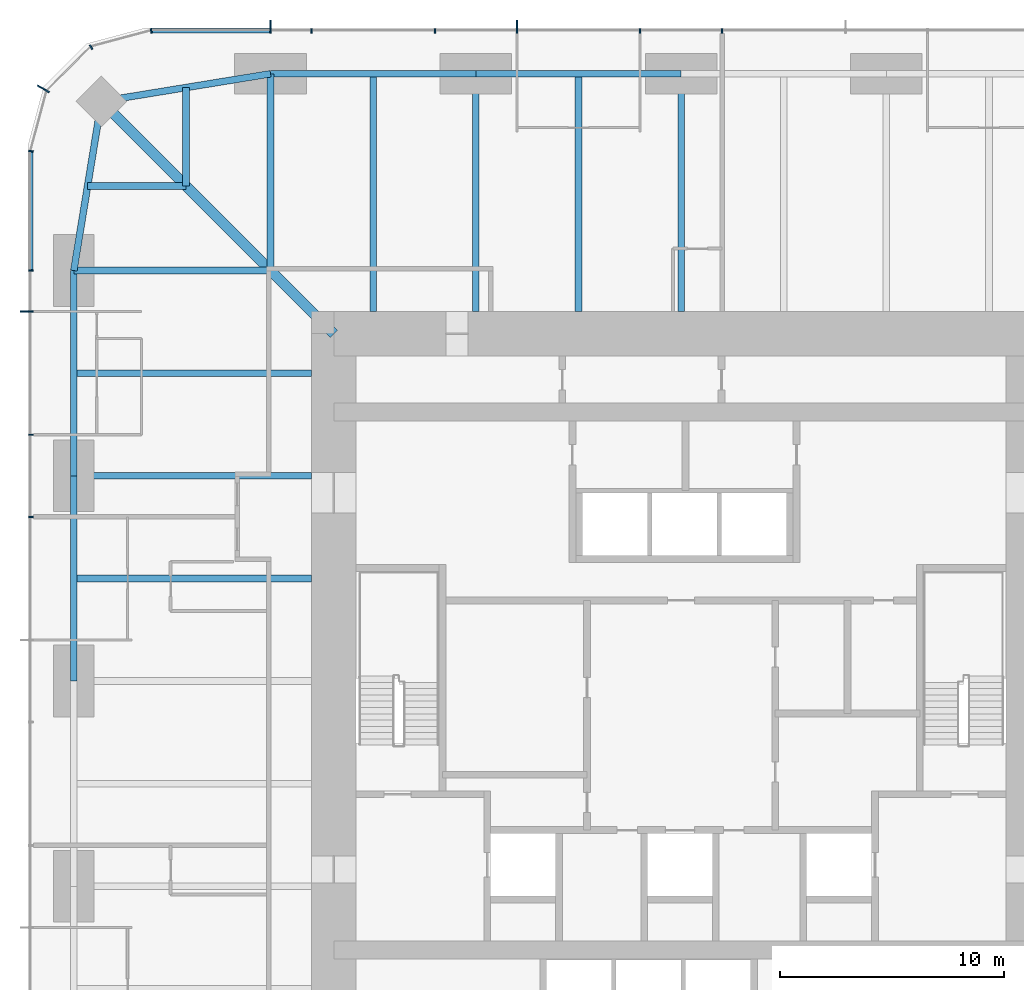
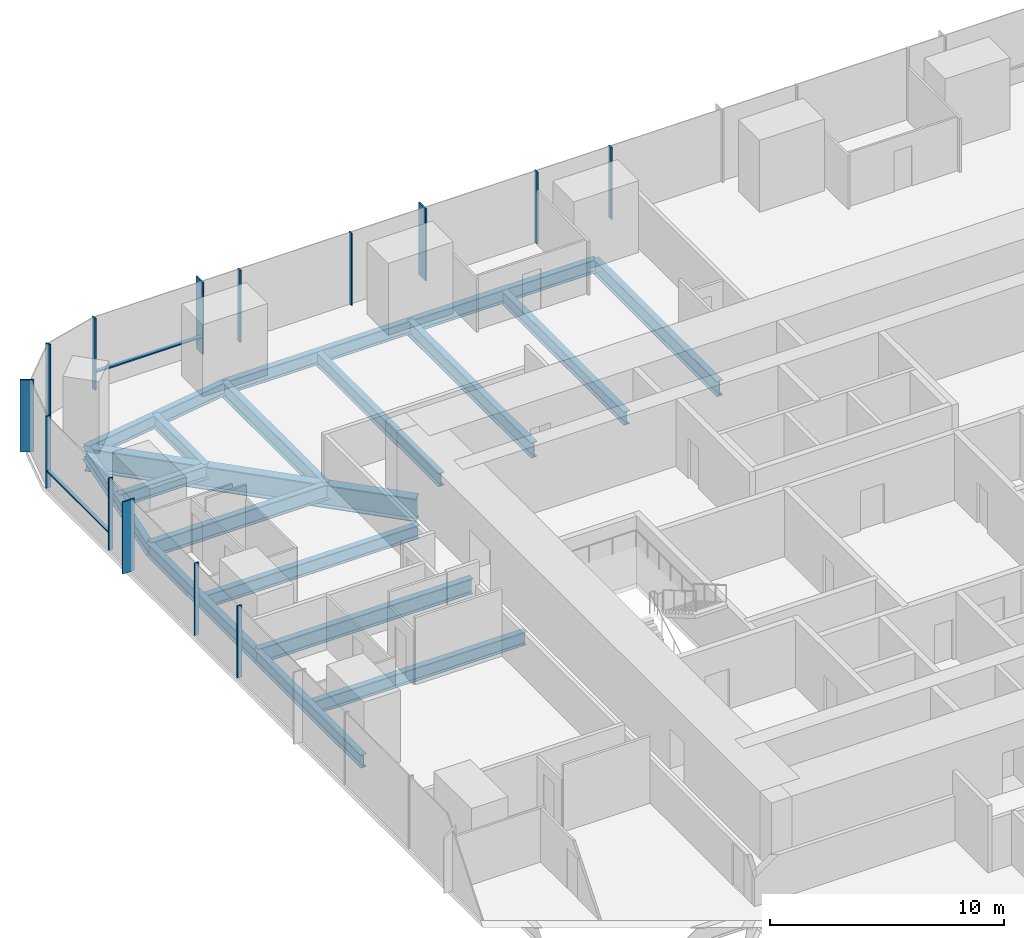
# One storey, part 5 of 13: 18 beams, 16 members, 3 elements without a shape of their own.
"""IFC4 building model written with IfcOpenShell, lengths in metres."""

import ifcopenshell
import ifcopenshell.guid

model = None  # the IFC model being written
_history = None  # IfcOwnerHistory: only IFC2X3 demands one
_inside = {}  # id of a spatial element -> (the spatial element, [elements in it])
_under = {}  # id of a project, library or spatial element -> (it, [spatial elements below it])
_declared = {}  # id of a project -> (the project, [libraries it declares])
_typed = {}  # id of a type object -> (the type object, [elements of that type])
_made_of = {}  # id of a material, layer set ... -> (it, [elements and type objects made of it])


def new_model(schema):
    """Start an empty IFC model of exactly this schema.

    Asked for "IFC4X3", IfcOpenShell would pick the latest addendum, in which some entities
    have other attributes; the version numbers below select the first issue.
    IFC2X3 requires an IfcOwnerHistory on every rooted entity: one is made here for all.
    """
    global model, _history
    if schema == "IFC4X3":
        model = ifcopenshell.file(schema_version=(4, 3, 0, 0))
    else:
        model = ifcopenshell.file(schema=schema)
    _inside.clear()
    _under.clear()
    _declared.clear()
    _typed.clear()
    _made_of.clear()
    _history = None
    if model.schema == "IFC2X3":
        org = make("IfcOrganization", Name="unknown")
        user = make(
            "IfcPersonAndOrganization",
            ThePerson=make("IfcPerson", FamilyName="unknown"),
            TheOrganization=org,
        )
        app = make(
            "IfcApplication",
            ApplicationDeveloper=org,
            Version="unknown",
            ApplicationFullName="unknown",
            ApplicationIdentifier="unknown",
        )
        _history = make(
            "IfcOwnerHistory",
            OwningUser=user,
            OwningApplication=app,
            ChangeAction="ADDED",
            CreationDate=0,
        )
    return model


def make(cls, **values):
    """One entity of the class cls with the attributes given. An attribute that is None is left unset."""
    return model.create_entity(
        cls, **{name: value for name, value in values.items() if value is not None}
    )


def rooted(cls, **values):
    """An entity with a GlobalId (a new one), such as an element, a storey or a relation."""
    return make(cls, GlobalId=ifcopenshell.guid.new(), OwnerHistory=_history, **values)


def si_unit(unit_type, name, prefix=None):
    """IfcSIUnit, for example si_unit("LENGTHUNIT", "METRE", prefix="MILLI")."""
    return make("IfcSIUnit", UnitType=unit_type, Prefix=prefix, Name=name)


def assignment(units):
    """IfcUnitAssignment: the units of a project."""
    return None if units is None else make("IfcUnitAssignment", Units=units)


def point(xyz):
    """IfcCartesianPoint."""
    return None if xyz is None else make("IfcCartesianPoint", Coordinates=xyz)


def direction(xyz):
    """IfcDirection."""
    return None if xyz is None else make("IfcDirection", DirectionRatios=xyz)


def frame(location, z_axis=None, x_axis=None):
    """IfcAxis2Placement3D, a coordinate frame: its origin and axes. An axis left out is left unset."""
    return make(
        "IfcAxis2Placement3D",
        Location=point(location),
        Axis=direction(z_axis),
        RefDirection=direction(x_axis),
    )


def frame_2d(location, x_axis=None):
    """IfcAxis2Placement2D, a coordinate frame in the plane: its origin and x axis."""
    return make(
        "IfcAxis2Placement2D", Location=point(location), RefDirection=direction(x_axis)
    )


def origin():
    """The frame at (0, 0, 0) with its axes left unset."""
    return frame((0.0, 0.0, 0.0))


def origin_2d():
    """The frame at (0, 0) in the plane with its x axis left unset."""
    return frame_2d((0.0, 0.0))


def place(relative_to, where):
    """IfcLocalPlacement: puts the frame where relative to a parent placement (None: the world)."""
    return make(
        "IfcLocalPlacement", PlacementRelTo=relative_to, RelativePlacement=where
    )


def context(
    kind, dimensions, precision=None, world=None, true_north=None, identifier=None
):
    """IfcGeometricRepresentationContext, for example the 3D "Model" context."""
    return make(
        "IfcGeometricRepresentationContext",
        ContextIdentifier=identifier,
        ContextType=kind,
        CoordinateSpaceDimension=dimensions,
        Precision=precision,
        WorldCoordinateSystem=world,
        TrueNorth=true_north,
    )


def subcontext(parent, identifier, kind, view, scale=None):
    """IfcGeometricRepresentationSubContext, for example "Body" below "Model"."""
    return make(
        "IfcGeometricRepresentationSubContext",
        ContextIdentifier=identifier,
        ContextType=kind,
        ParentContext=parent,
        TargetScale=scale,
        TargetView=view,
    )


def project(units=None, contexts=None):
    """IfcProject with its units and contexts."""
    return rooted(
        "IfcProject",
        Name="project",
        RepresentationContexts=contexts,
        UnitsInContext=assignment(units),
    )


def spatial(cls, under=None, at=None, **own):
    """A site, building, storey or space (cls), placed at a placement, below another one or the project."""
    s = rooted(cls, ObjectPlacement=at, **own)
    if under is not None:
        _under.setdefault(under.id(), (under, []))[1].append(s)
    return s


def profile(cls, at=None, kind="AREA", **sizes):
    """A parametric profile (cls). Its sizes go by their IFC names, for example OverallWidth=200.0."""
    return make(cls, ProfileType=kind, Position=at, **sizes)


def rectangle(**sizes):
    """IfcRectangleProfileDef."""
    return profile("IfcRectangleProfileDef", **sizes)


def i_section(**sizes):
    """IfcIShapeProfileDef."""
    return profile("IfcIShapeProfileDef", **sizes)


def extrude(swept, where, along, depth):
    """IfcExtrudedAreaSolid: the profile swept, set in the frame where, extruded along a direction by depth."""
    return make(
        "IfcExtrudedAreaSolid",
        SweptArea=swept,
        Position=where,
        ExtrudedDirection=direction(along),
        Depth=depth,
    )


def shape(context_of_items, identifier, shape_type, items):
    """IfcShapeRepresentation: the items that make up one representation, for example the "Body"."""
    return make(
        "IfcShapeRepresentation",
        ContextOfItems=context_of_items,
        RepresentationIdentifier=identifier,
        RepresentationType=shape_type,
        Items=items,
    )


def material(Name=None, Category=None):
    """IfcMaterial."""
    return make("IfcMaterial", Name=Name, Category=Category)


def material_profile(
    of_material, cross_section, Name=None, Category=None, Priority=None
):
    """IfcMaterialProfile: a cross section and its material."""
    return make(
        "IfcMaterialProfile",
        Name=Name,
        Material=of_material,
        Profile=cross_section,
        Priority=Priority,
        Category=Category,
    )


def profile_set(profiles, Name=None, composite=None):
    """IfcMaterialProfileSet."""
    return make(
        "IfcMaterialProfileSet",
        Name=Name,
        MaterialProfiles=profiles,
        CompositeProfile=composite,
    )


def made_of(thing, what):
    """Note that an element or type object is made of a material, layer set ...; save() writes the relation."""
    if what is not None:
        _made_of.setdefault(what.id(), (what, []))[1].append(thing)
    return thing


def type_object(cls, material=None, **own):
    """A type object (cls), such as IfcWallType, which elements share."""
    return made_of(rooted(cls, **own), material)


def element(
    cls,
    number,
    at=None,
    inside=None,
    cuts=None,
    type_object=None,
    material=None,
    context=None,
    identifier="Body",
    shape_type=None,
    held_by="IfcProductDefinitionShape",
    body=None,
    shapes=None,
    **own,
):
    """One element of the class cls, such as IfcWall. Its Tag is "e" and its number.

    at: its placement. inside: the storey or other place that contains it. cuts: it is an
    opening in that element (IfcRelVoidsElement). A single representation is given by context,
    identifier, shape_type and body (its items); several are given by shapes. held_by: the class
    of the entity that holds the representations. save() writes the other relations.
    """
    e = rooted(cls, Tag="e%d" % number, ObjectPlacement=at, **own)
    if body is not None:
        shapes = [shape(context, identifier, shape_type, body)]
    if shapes is not None:
        e.Representation = make(held_by, Representations=shapes)
    if inside is not None:
        _inside.setdefault(inside.id(), (inside, []))[1].append(e)
    if cuts is not None:
        rooted(
            "IfcRelVoidsElement", RelatingBuildingElement=cuts, RelatedOpeningElement=e
        )
    if type_object is not None:
        _typed.setdefault(type_object.id(), (type_object, []))[1].append(e)
    return made_of(e, material)


def aggregate(whole, parts):
    """IfcRelAggregates: a whole, such as a stair, and the parts it consists of."""
    return rooted("IfcRelAggregates", RelatingObject=whole, RelatedObjects=parts)


def save(model, path):
    """Write the relations noted so far, then the file.

    IfcRelAggregates (storeys below a building ...), IfcRelContainedInSpatialStructure (elements
    in a storey), IfcRelDefinesByType, IfcRelAssociatesMaterial and IfcRelDeclares: one each for
    every whole, place, type object, material and project.
    """
    for whole, parts in _under.values():
        aggregate(whole, parts)
    for where, things in _inside.values():
        rooted(
            "IfcRelContainedInSpatialStructure",
            RelatedElements=things,
            RelatingStructure=where,
        )
    for kind, things in _typed.values():
        rooted("IfcRelDefinesByType", RelatedObjects=things, RelatingType=kind)
    for what, things in _made_of.values():
        rooted("IfcRelAssociatesMaterial", RelatedObjects=things, RelatingMaterial=what)
    for by, libraries in _declared.values():
        rooted("IfcRelDeclares", RelatingContext=by, RelatedDefinitions=libraries)
    model.write(path)


model = new_model("IFC4")

# Units and contexts
model_context = context("Model", 3, precision=1e-05, world=origin(), true_north=direction((0.0, 1.0)))
body_context = subcontext(model_context, "Body", "Model", "MODEL_VIEW")
ifc_project = project(units=[si_unit("LENGTHUNIT", "METRE"), si_unit("AREAUNIT", "SQUARE_METRE"), si_unit("VOLUMEUNIT", "CUBIC_METRE"), si_unit("PLANEANGLEUNIT", "RADIAN"), si_unit("MASSUNIT", "GRAM", prefix="KILO")], contexts=[model_context])

# Site, building, storey
site_placement = place(None, origin())
site = spatial("IfcSite", under=ifc_project, at=site_placement, CompositionType="ELEMENT")
building_placement = place(site_placement, origin())
building = spatial("IfcBuilding", under=site, at=building_placement, Name="Khuree Lantern Residences", CompositionType="ELEMENT")
storey_placement = place(building_placement, frame((0.0, 0.0, 122.25)))
storey = spatial("IfcBuildingStorey", under=building, at=storey_placement, Name="L30", CompositionType="ELEMENT", Elevation=122.25)

# Beams
ifc_material_1 = material(Name="Steel S355", Category="steel")
ifc_material_profile_1 = material_profile(ifc_material_1, i_section(OverallWidth=0.300048828125, OverallDepth=0.68994140625, WebThickness=0.014404296875, FlangeThickness=0.027099609375, FilletRadius=0.027099609375, at=origin_2d()), Name="HE 700 A")
ifc_profile_set_1 = profile_set([ifc_material_profile_1], Name="Steel S355")
beam_type_1 = type_object("IfcBeamType", Name="B-22 SECONDARY BEAM HE 700 A", PredefinedType="BEAM", material=ifc_profile_set_1)
for number, where, z_axis, x_axis, name in (
    (1, (-13.739990234375, 27.10009765625, -0.594970703125), (0.0, -1.0, 0.0), (1.0, 0.0, 0.0), "Secondary beam N1"),
    (2, (-4.580078125, 27.10009765625, -0.594970703125), (0.0, -1.0, 0.0), (1.0, 0.0, 0.0), "Secondary beam N2"),
    (3, (-27.10009765625, 4.580078125, -0.594970703125), (1.0, 0.0, 0.0), (0.0, 1.0, 0.0), "Secondary beam W4"),
    (4, (-27.10009765625, 13.739990234375, -0.594970703125), (1.0, 0.0, 0.0), (0.0, 1.0, 0.0), "Secondary beam W5"),
):
    element("IfcBeam", number, at=place(storey_placement, frame(where, z_axis=z_axis, x_axis=x_axis)), inside=storey, type_object=beam_type_1, Name=name, PredefinedType="BEAM", context=body_context, shape_type="SweptSolid", body=[
        extrude(i_section(OverallWidth=0.300048828125, OverallDepth=0.68994140625, WebThickness=0.014404296875, FlangeThickness=0.027099609375, FilletRadius=0.027099609375, at=origin_2d()), origin(), (0.0, 0.0, 1.0), 10.60009765625),
    ])
for number, where, z_axis, x_axis, name in (
    (5, (-26.48486328125, 22.094970703125, -0.594970703125), (1.0, 0.0, 0.0), (0.0, 1.0, 0.0), "Secondary beam W6"),
    (6, (-22.094970703125, 26.48486328125, -0.594970703125), (0.0, -1.0, 0.0), (1.0, 0.0, 0.0), "Secondary beam N6"),
):
    element("IfcBeam", number, at=place(storey_placement, frame(where, z_axis=z_axis, x_axis=x_axis)), inside=storey, type_object=beam_type_1, Name=name, PredefinedType="BEAM", context=body_context, shape_type="SweptSolid", body=[
        extrude(i_section(OverallWidth=0.300048828125, OverallDepth=0.68994140625, WebThickness=0.014404296875, FlangeThickness=0.027099609375, FilletRadius=0.027099609375, at=origin_2d()), origin(), (0.0, 0.0, 1.0), 4.389892578125),
    ])
ifc_material_profile_2 = material_profile(ifc_material_1, i_section(OverallWidth=0.300048828125, OverallDepth=0.68994140625, WebThickness=0.014404296875, FlangeThickness=0.027099609375, FilletRadius=0.027099609375, at=origin_2d()), Name="HE 700 A")
ifc_profile_set_2 = profile_set([ifc_material_profile_2], Name="Steel S355")
beam_type_2 = type_object("IfcBeamType", Name="E-22 SPANDREL BEAM HE 700 A", PredefinedType="SPANDREL", material=ifc_profile_set_2)
beam_1_placement = place(storey_placement, frame((-18.320068359375, 27.10009765625, -0.594970703125), z_axis=(1.0, 0.0, 0.0), x_axis=(0.0, 1.0, 0.0)))
element("IfcBeam", 7, at=beam_1_placement, inside=storey, type_object=beam_type_2, Name="Spandrel beam N1", PredefinedType="SPANDREL", context=body_context, shape_type="SweptSolid", body=[
    extrude(i_section(OverallWidth=0.300048828125, OverallDepth=0.68994140625, WebThickness=0.014404296875, FlangeThickness=0.027099609375, FilletRadius=0.027099609375, at=origin_2d()), origin(), (0.0, 0.0, 1.0), 9.16015625),
])
for number, where, z_axis, x_axis, name in (
    (8, (-9.159912109375, 27.10009765625, -0.594970703125), (1.0, 0.0, 0.0), (0.0, 1.0, 0.0), "Spandrel beam N2"),
    (9, (-27.10009765625, 0.0, -0.594970703125), (0.0, 1.0, 0.0), (-1.0, 0.0, 0.0), "Spandrel beam W4"),
):
    element("IfcBeam", number, at=place(storey_placement, frame(where, z_axis=z_axis, x_axis=x_axis)), inside=storey, type_object=beam_type_2, Name=name, PredefinedType="SPANDREL", context=body_context, shape_type="SweptSolid", body=[
        extrude(i_section(OverallWidth=0.300048828125, OverallDepth=0.68994140625, WebThickness=0.014404296875, FlangeThickness=0.027099609375, FilletRadius=0.027099609375, at=origin_2d()), origin(), (0.0, 0.0, 1.0), 9.159912109375),
    ])
beam_2_placement = place(storey_placement, frame((-27.10009765625, 9.159912109375, -0.594970703125), z_axis=(0.0, 1.0, 0.0), x_axis=(-1.0, 0.0, 0.0)))
element("IfcBeam", 10, at=beam_2_placement, inside=storey, type_object=beam_type_2, Name="Spandrel beam W5", PredefinedType="SPANDREL", context=body_context, shape_type="SweptSolid", body=[
    extrude(i_section(OverallWidth=0.300048828125, OverallDepth=0.68994140625, WebThickness=0.014404296875, FlangeThickness=0.027099609375, FilletRadius=0.027099609375, at=origin_2d()), origin(), (0.0, 0.0, 1.0), 9.16015625),
])
for number, where, z_axis, x_axis, name in (
    (11, (-27.10009765625, 18.320068359375, -0.594970703125), (0.160826723833, 0.986982656839, 0.0), (-0.986982656839, 0.160826723833, 0.0), "Spandrel beam W6"),
    (12, (-25.869873046875, 25.869873046875, -0.594970703125), (0.986982656839, 0.160826723833, 0.0), (-0.160826723833, 0.986982656839, 0.0), "Spandrel beam N6"),
):
    element("IfcBeam", number, at=place(storey_placement, frame(where, z_axis=z_axis, x_axis=x_axis)), inside=storey, type_object=beam_type_2, Name=name, PredefinedType="SPANDREL", context=body_context, shape_type="SweptSolid", body=[
        extrude(i_section(OverallWidth=0.300048828125, OverallDepth=0.68994140625, WebThickness=0.014404296875, FlangeThickness=0.027099609375, FilletRadius=0.027099609375, at=origin_2d()), origin(), (0.0, 0.0, 1.0), 7.6494140625),
    ])

# Curtain wall, members
ifc_material_2 = material(Name="Bronze anodised aluminium", Category="aluminium")
curtain_wall_type_1 = type_object("IfcCurtainWallType", Name="CW-T1 TOWER FACE CURTAIN WALL", PredefinedType="USERDEFINED", material=ifc_material_2)
curtain_wall_1_placement = place(storey_placement, origin())
curtain_wall_1 = element("IfcCurtainWall", 13, at=curtain_wall_1_placement, inside=storey, type_object=curtain_wall_type_1, Name="L30 NORTH FACE CURTAIN WALL", ObjectType="Stick-built curtain wall", PredefinedType="USERDEFINED")
ifc_material_profile_3 = material_profile(ifc_material_2, rectangle(XDim=0.06494140625, YDim=0.60009765625, at=origin_2d()), Name="F1 65X600")
ifc_profile_set_3 = profile_set([ifc_material_profile_3], Name="Bronze anodised aluminium")
member_type_1 = type_object("IfcMemberType", Name="F1 BRONZE FIN MULLION TOWER 65X600", PredefinedType="MULLION", material=ifc_profile_set_3)
member_1_placement = place(storey_placement, frame((-7.327880859375, 29.199951171875, 0.0), z_axis=(0.0, 0.0, 1.0), x_axis=(-1.0, 0.0, 0.0)))
member_1 = element("IfcMember", 14, at=member_1_placement, type_object=member_type_1, Name="L30 NORTH FACE FIN MULLION 25", PredefinedType="MULLION", context=body_context, shape_type="SweptSolid", body=[
    extrude(rectangle(XDim=0.06494140625, YDim=0.60009765625, at=origin_2d()), origin(), (0.0, 0.0, 1.0), 3.75),
])
member_2_placement = place(storey_placement, frame((-18.320068359375, 29.199951171875, 0.0), z_axis=(0.0, 0.0, 1.0), x_axis=(-1.0, 0.0, 0.0)))
member_2 = element("IfcMember", 15, at=member_2_placement, type_object=member_type_1, Name="L30 NORTH FACE FIN MULLION 28", PredefinedType="MULLION", context=body_context, shape_type="SweptSolid", body=[
    extrude(rectangle(XDim=0.06494140625, YDim=0.60009765625, at=origin_2d()), origin(), (0.0, 0.0, 1.0), 3.75),
])

# Curtain wall, member
curtain_wall_type_2 = type_object("IfcCurtainWallType", Name="CW-T2 TOWER CORNER CURTAIN WALL", PredefinedType="USERDEFINED", material=ifc_material_2)
curtain_wall_2_placement = place(storey_placement, origin())
curtain_wall_2 = element("IfcCurtainWall", 16, at=curtain_wall_2_placement, inside=storey, type_object=curtain_wall_type_2, Name="L30 NORTH-WEST CORNER CURTAIN WALL", ObjectType="Faceted corner curtain wall", PredefinedType="USERDEFINED")
member_3_placement = place(storey_placement, frame((-28.45654296875, 26.425048828125, 0.0), z_axis=(0.0, 0.0, 1.0), x_axis=(-0.500000026995, -0.866025388199, 0.0)))
member_3 = element("IfcMember", 17, at=member_3_placement, type_object=member_type_1, Name="L30 NORTH-WEST CORNER FIN MULLION 31", PredefinedType="MULLION", context=body_context, shape_type="SweptSolid", body=[
    extrude(rectangle(XDim=0.06494140625, YDim=0.60009765625, at=origin_2d()), origin(), (0.0, 0.0, 1.0), 3.75),
])

curtain_wall_3_placement = place(storey_placement, origin())
curtain_wall_3 = element("IfcCurtainWall", 18, at=curtain_wall_3_placement, inside=storey, type_object=curtain_wall_type_1, Name="L30 WEST FACE CURTAIN WALL", ObjectType="Stick-built curtain wall", PredefinedType="USERDEFINED")
member_4_placement = place(storey_placement, frame((-29.199951171875, 16.488037109375, 0.0), z_axis=(0.0, 0.0, 1.0), x_axis=(0.0, -1.0, 0.0)))
member_4 = element("IfcMember", 19, at=member_4_placement, type_object=member_type_1, Name="L30 WEST FACE FIN MULLION 34", PredefinedType="MULLION", context=body_context, shape_type="SweptSolid", body=[
    extrude(rectangle(XDim=0.06494140625, YDim=0.60009765625, at=origin_2d()), origin(), (0.0, 0.0, 1.0), 3.75),
])

# Beams
ifc_material_profile_4 = material_profile(ifc_material_1, i_section(OverallWidth=0.300048828125, OverallDepth=0.800048828125, WebThickness=0.017578125, FlangeThickness=0.032958984375, FilletRadius=0.030029296875, at=origin_2d()), Name="HE 800 B")
ifc_profile_set_4 = profile_set([ifc_material_profile_4], Name="Steel S355")
beam_type_3 = type_object("IfcBeamType", Name="G-22 GIRDER HE 800 B", PredefinedType="BEAM", material=ifc_profile_set_4)
beam_3_placement = place(storey_placement, frame((-18.320068359375, 27.10009765625, -0.64990234375), z_axis=(0.0, -1.0, 0.0), x_axis=(1.0, 0.0, 0.0)))
element("IfcBeam", 20, at=beam_3_placement, inside=storey, type_object=beam_type_3, Name="Girder N1", PredefinedType="BEAM", context=body_context, shape_type="SweptSolid", body=[
    extrude(i_section(OverallWidth=0.300048828125, OverallDepth=0.800048828125, WebThickness=0.017578125, FlangeThickness=0.032958984375, FilletRadius=0.030029296875, at=origin_2d()), origin(), (0.0, 0.0, 1.0), 8.780029296875),
])
for number, where, z_axis, x_axis, name in (
    (21, (-9.159912109375, 27.10009765625, -0.64990234375), (0.0, -1.0, 0.0), (1.0, 0.0, 0.0), "Girder N2"),
    (22, (0.0, 27.10009765625, -0.64990234375), (0.0, -1.0, 0.0), (1.0, 0.0, 0.0), "Girder N3"),
    (23, (-27.10009765625, 9.159912109375, -0.64990234375), (1.0, 0.0, 0.0), (0.0, 1.0, 0.0), "Girder W4"),
):
    element("IfcBeam", number, at=place(storey_placement, frame(where, z_axis=z_axis, x_axis=x_axis)), inside=storey, type_object=beam_type_3, Name=name, PredefinedType="BEAM", context=body_context, shape_type="SweptSolid", body=[
        extrude(i_section(OverallWidth=0.300048828125, OverallDepth=0.800048828125, WebThickness=0.017578125, FlangeThickness=0.032958984375, FilletRadius=0.030029296875, at=origin_2d()), origin(), (0.0, 0.0, 1.0), 10.60009765625),
    ])
beam_4_placement = place(storey_placement, frame((-27.10009765625, 18.320068359375, -0.64990234375), z_axis=(1.0, 0.0, 0.0), x_axis=(0.0, 1.0, 0.0)))
element("IfcBeam", 24, at=beam_4_placement, inside=storey, type_object=beam_type_3, Name="Girder W5", PredefinedType="BEAM", context=body_context, shape_type="SweptSolid", body=[
    extrude(i_section(OverallWidth=0.300048828125, OverallDepth=0.800048828125, WebThickness=0.017578125, FlangeThickness=0.032958984375, FilletRadius=0.030029296875, at=origin_2d()), origin(), (0.0, 0.0, 1.0), 8.780029296875),
])
ifc_material_profile_5 = material_profile(ifc_material_1, i_section(OverallWidth=0.449951171875, OverallDepth=1.199951171875, WebThickness=0.02490234375, FlangeThickness=0.044921875, at=origin_2d()), Name="WELDED I 1200X450X25X45")
ifc_profile_set_5 = profile_set([ifc_material_profile_5], Name="Steel S355")
beam_type_4 = type_object("IfcBeamType", Name="GD-22 CORNER GIRDER WELDED I 1200X450X25X45", PredefinedType="BEAM", material=ifc_profile_set_5)
beam_5_placement = place(storey_placement, frame((-25.869873046875, 25.869873046875, -0.85009765625), z_axis=(0.707106781187, -0.707106781187, 0.0), x_axis=(0.707106781187, 0.707106781187, 0.0)))
element("IfcBeam", 25, at=beam_5_placement, inside=storey, type_object=beam_type_4, Name="Corner girder NW", PredefinedType="BEAM", context=body_context, shape_type="SweptSolid", body=[
    extrude(i_section(OverallWidth=0.449951171875, OverallDepth=1.199951171875, WebThickness=0.02490234375, FlangeThickness=0.044921875, at=origin_2d()), origin(), (0.0, 0.0, 1.0), 14.665283203125),
])

# Member
ifc_material_profile_6 = material_profile(ifc_material_2, rectangle(XDim=0.06494140625, YDim=0.219970703125, at=origin_2d()), Name="M1 65X220")
ifc_profile_set_6 = profile_set([ifc_material_profile_6], Name="Bronze anodised aluminium")
member_type_2 = type_object("IfcMemberType", Name="M1 BRONZE MULLION TOWER 65X220", PredefinedType="MULLION", material=ifc_profile_set_6)
member_5_placement = place(storey_placement, frame((1.83203125, 29.010009765625, 0.0), z_axis=(0.0, 0.0, 1.0), x_axis=(-1.0, 0.0, 0.0)))
member_5 = element("IfcMember", 26, at=member_5_placement, type_object=member_type_2, Name="L30 NORTH FACE MULLION 23", PredefinedType="MULLION", context=body_context, shape_type="SweptSolid", body=[
    extrude(rectangle(XDim=0.06494140625, YDim=0.219970703125, at=origin_2d()), origin(), (0.0, 0.0, 1.0), 3.75),
])

member_6_placement = place(storey_placement, frame((-1.83203125, 29.010009765625, 0.0), z_axis=(0.0, 0.0, 1.0), x_axis=(-1.0, 0.0, 0.0)))
member_6 = element("IfcMember", 27, at=member_6_placement, type_object=member_type_2, Name="L30 NORTH FACE MULLION 24", PredefinedType="MULLION", context=body_context, shape_type="SweptSolid", body=[
    extrude(rectangle(XDim=0.06494140625, YDim=0.219970703125, at=origin_2d()), origin(), (0.0, 0.0, 1.0), 3.75),
])

member_7_placement = place(storey_placement, frame((-10.991943359375, 29.010009765625, 0.0), z_axis=(0.0, 0.0, 1.0), x_axis=(-1.0, 0.0, 0.0)))
member_7 = element("IfcMember", 28, at=member_7_placement, type_object=member_type_2, Name="L30 NORTH FACE MULLION 26", PredefinedType="MULLION", context=body_context, shape_type="SweptSolid", body=[
    extrude(rectangle(XDim=0.06494140625, YDim=0.219970703125, at=origin_2d()), origin(), (0.0, 0.0, 1.0), 3.75),
])

member_8_placement = place(storey_placement, frame((-16.488037109375, 29.010009765625, 0.0), z_axis=(0.0, 0.0, 1.0), x_axis=(-1.0, 0.0, 0.0)))
member_8 = element("IfcMember", 29, at=member_8_placement, type_object=member_type_2, Name="L30 NORTH FACE MULLION 27", PredefinedType="MULLION", context=body_context, shape_type="SweptSolid", body=[
    extrude(rectangle(XDim=0.06494140625, YDim=0.219970703125, at=origin_2d()), origin(), (0.0, 0.0, 1.0), 3.75),
])

member_9_placement = place(storey_placement, frame((-23.64501953125, 29.01171875, 0.0), z_axis=(0.0, 0.0, 1.0), x_axis=(-0.991444857305, -0.130526223125, 0.0)))
member_9 = element("IfcMember", 30, at=member_9_placement, type_object=member_type_2, Name="L30 NORTH-WEST CORNER MULLION 29", PredefinedType="MULLION", context=body_context, shape_type="SweptSolid", body=[
    extrude(rectangle(XDim=0.06494140625, YDim=0.219970703125, at=origin_2d()), origin(), (0.0, 0.0, 1.0), 3.75),
])

member_10_placement = place(storey_placement, frame((-26.330078125, 28.2919921875, 0.0), z_axis=(0.0, 0.0, 1.0), x_axis=(-0.866025388199, -0.500000026995, 0.0)))
member_10 = element("IfcMember", 31, at=member_10_placement, type_object=member_type_2, Name="L30 NORTH-WEST CORNER MULLION 30", PredefinedType="MULLION", context=body_context, shape_type="SweptSolid", body=[
    extrude(rectangle(XDim=0.06494140625, YDim=0.219970703125, at=origin_2d()), origin(), (0.0, 0.0, 1.0), 3.75),
])

aggregate(curtain_wall_2, [member_9, member_10, member_3])

member_11_placement = place(storey_placement, frame((-29.01171875, 23.64501953125, 0.0), z_axis=(0.0, 0.0, 1.0), x_axis=(-0.130526223125, -0.991444857305, 0.0)))
member_11 = element("IfcMember", 32, at=member_11_placement, type_object=member_type_2, Name="L30 WEST FACE MULLION 32", PredefinedType="MULLION", context=body_context, shape_type="SweptSolid", body=[
    extrude(rectangle(XDim=0.06494140625, YDim=0.219970703125, at=origin_2d()), origin(), (0.0, 0.0, 1.0), 3.75),
])

member_12_placement = place(storey_placement, frame((-29.010009765625, 18.320068359375, 0.0), z_axis=(0.0, 0.0, 1.0), x_axis=(0.0, -1.0, 0.0)))
member_12 = element("IfcMember", 33, at=member_12_placement, type_object=member_type_2, Name="L30 WEST FACE MULLION 33", PredefinedType="MULLION", context=body_context, shape_type="SweptSolid", body=[
    extrude(rectangle(XDim=0.06494140625, YDim=0.219970703125, at=origin_2d()), origin(), (0.0, 0.0, 1.0), 3.75),
])

member_13_placement = place(storey_placement, frame((-29.010009765625, 10.991943359375, 0.0), z_axis=(0.0, 0.0, 1.0), x_axis=(0.0, -1.0, 0.0)))
member_13 = element("IfcMember", 34, at=member_13_placement, type_object=member_type_2, Name="L30 WEST FACE MULLION 35", PredefinedType="MULLION", context=body_context, shape_type="SweptSolid", body=[
    extrude(rectangle(XDim=0.06494140625, YDim=0.219970703125, at=origin_2d()), origin(), (0.0, 0.0, 1.0), 3.75),
])

member_14_placement = place(storey_placement, frame((-29.010009765625, 7.327880859375, 0.0), z_axis=(0.0, 0.0, 1.0), x_axis=(0.0, -1.0, 0.0)))
member_14 = element("IfcMember", 35, at=member_14_placement, type_object=member_type_2, Name="L30 WEST FACE MULLION 36", PredefinedType="MULLION", context=body_context, shape_type="SweptSolid", body=[
    extrude(rectangle(XDim=0.06494140625, YDim=0.219970703125, at=origin_2d()), origin(), (0.0, 0.0, 1.0), 3.75),
])

ifc_material_profile_7 = material_profile(ifc_material_2, rectangle(XDim=0.179931640625, YDim=0.06494140625, at=origin_2d()), Name="T1 180X65")
ifc_profile_set_7 = profile_set([ifc_material_profile_7], Name="Bronze anodised aluminium")
member_type_3 = type_object("IfcMemberType", Name="TRANSOM T1 TOWER 180X65", PredefinedType="USERDEFINED", material=ifc_profile_set_7)
member_15_placement = place(storey_placement, frame((-18.3525390625, 29.02001953125, 0.89990234375), z_axis=(-1.0, 0.0, 0.0), x_axis=(0.0, -1.0, 0.0)))
member_15 = element("IfcMember", 36, at=member_15_placement, type_object=member_type_3, Name="L30 NORTH FACE TRANSOM 28.1", ObjectType="Transom", PredefinedType="USERDEFINED", context=body_context, shape_type="SweptSolid", body=[
    extrude(rectangle(XDim=0.179931640625, YDim=0.06494140625, at=origin_2d()), origin(), (0.0, 0.0, 1.0), 5.248779296875),
])

aggregate(curtain_wall_1, [member_5, member_6, member_1, member_7, member_8, member_2, member_15])

member_16_placement = place(storey_placement, frame((-29.02001953125, 23.601318359375, 0.89990234375), z_axis=(0.0, -1.0, 0.0), x_axis=(1.0, 0.0, 0.0)))
member_16 = element("IfcMember", 37, at=member_16_placement, type_object=member_type_3, Name="L30 WEST FACE TRANSOM 32.1", ObjectType="Transom", PredefinedType="USERDEFINED", context=body_context, shape_type="SweptSolid", body=[
    extrude(rectangle(XDim=0.179931640625, YDim=0.06494140625, at=origin_2d()), origin(), (0.0, 0.0, 1.0), 5.248779296875),
])

aggregate(curtain_wall_3, [member_11, member_12, member_4, member_13, member_14, member_16])

save(model, "model.ifc")
